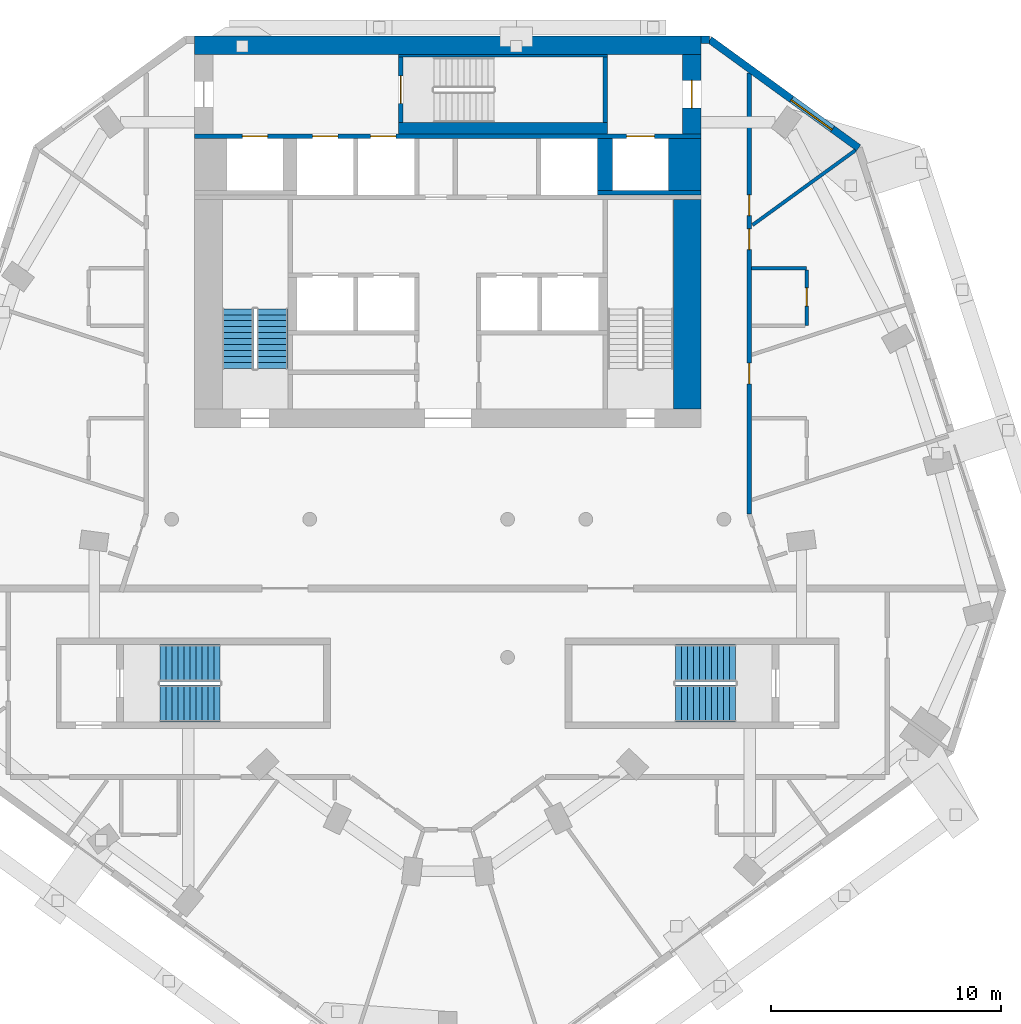
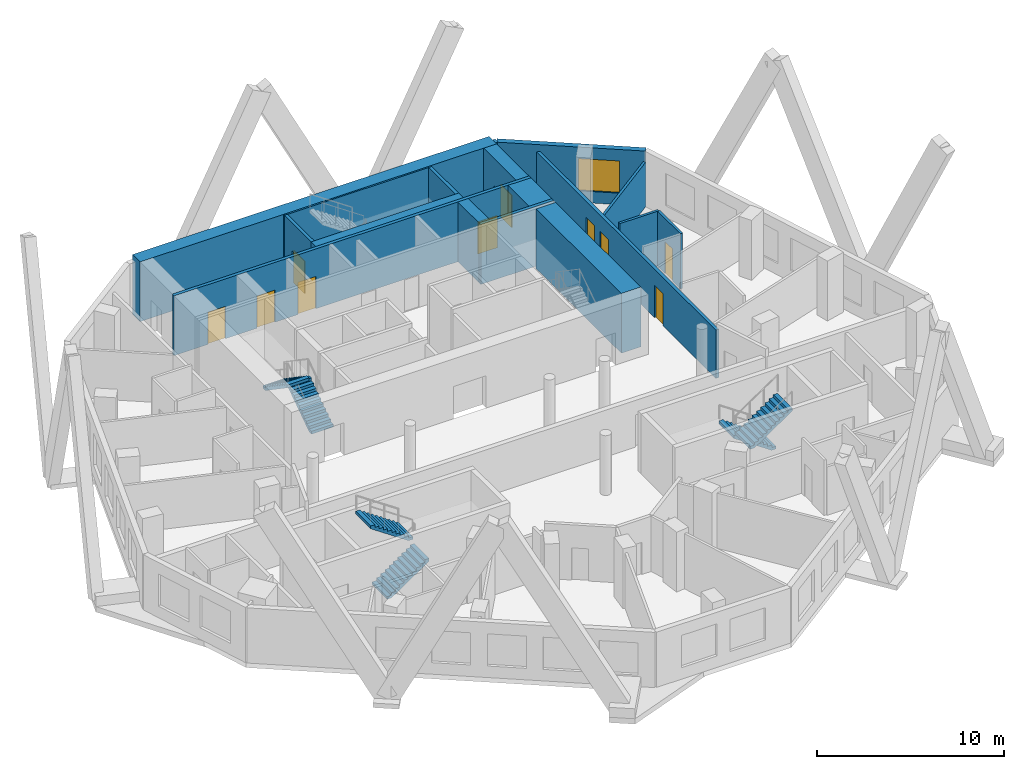
# One storey, part 7 of 10: 17 walls, 10 doors, 6 stair flights, 1 window, 11 openings, 3 elements without a shape of their own.
"""IFC4 building model written with IfcOpenShell, lengths in metres."""

from ifc_helpers import new_model, si_unit, direction, frame, frame_2d, origin, place, context, subcontext, project, spatial, polyline, rectangle, outline, extrude, material, layer, layer_set, type_object, element, fill, aggregate, save


model = new_model("IFC4")

# Units and contexts
model_context = context("Model", 3, precision=1e-05, world=origin(), true_north=direction((0.0, 1.0)))
body_context = subcontext(model_context, "Body", "Model", "MODEL_VIEW")
ifc_project = project(units=[si_unit("LENGTHUNIT", "METRE"), si_unit("AREAUNIT", "SQUARE_METRE"), si_unit("VOLUMEUNIT", "CUBIC_METRE"), si_unit("PLANEANGLEUNIT", "RADIAN"), si_unit("MASSUNIT", "GRAM", prefix="KILO")], contexts=[model_context])

# Site, building, storey
site_placement = place(None, origin())
site = spatial("IfcSite", under=ifc_project, at=site_placement, CompositionType="ELEMENT")
building_placement = place(site_placement, origin())
building = spatial("IfcBuilding", under=site, at=building_placement, Name="White Candle Pilgrim Tower", CompositionType="ELEMENT")
storey_placement = place(building_placement, frame((0.0, 0.0, 231.60009765625)))
storey = spatial("IfcBuildingStorey", under=building, at=storey_placement, Name="L54", CompositionType="ELEMENT", Elevation=231.60009765625)

# Walls
ifc_material_1 = material(Name="Concrete C50/60", Category="concrete")
ifc_layer_1 = layer(ifc_material_1, 1.39990234375)
ifc_layer_set_1 = layer_set([ifc_layer_1], Name="Core wall 1400 mm Concrete C50/60")
wall_type_1 = type_object("IfcWallType", Name="Core wall 1400 mm Concrete C50/60", PredefinedType="SHEAR", material=ifc_layer_set_1)
wall_1_placement = place(storey_placement, frame((80.300048828125, 81.300048828125, 0.0), z_axis=(0.0, 0.0, 1.0), x_axis=(0.0, 1.0, 0.0)))
element("IfcWall", 1, at=wall_1_placement, inside=storey, type_object=wall_type_1, Name="WL-L54-C43", PredefinedType="SHEAR", context=body_context, shape_type="SweptSolid", body=[
    extrude(rectangle(XDim=2.25, YDim=1.39990234375, at=frame_2d((1.125, 0.0))), origin(), (0.0, 0.0, 1.0), 3.89990234375),
])
ifc_layer_2 = layer(ifc_material_1, 0.199951171875)
ifc_layer_set_2 = layer_set([ifc_layer_2], Name="Core wall 200 mm Concrete C50/60")
wall_type_2 = type_object("IfcWallType", Name="Core wall 200 mm Concrete C50/60", PredefinedType="SHEAR", material=ifc_layer_set_2)
wall_2_placement = place(storey_placement, frame((76.5, 81.199951171875, 0.0), z_axis=(0.0, 0.0, 1.0), x_axis=(1.0, 0.0, 0.0)))
element("IfcWall", 2, at=wall_2_placement, inside=storey, type_object=wall_type_2, Name="WL-L54-C39", PredefinedType="SHEAR", context=body_context, shape_type="SweptSolid", body=[
    extrude(rectangle(XDim=4.5, YDim=0.199951171875, at=frame_2d((2.25, 0.0))), origin(), (0.0, 0.0, 1.0), 3.89990234375),
])

# Wall, openings, doors
wall_3_placement = place(storey_placement, frame((59.0, 83.64990234375, 0.0), z_axis=(0.0, 0.0, 1.0), x_axis=(1.0, 0.0, 0.0)))
wall_3 = element("IfcWall", 3, at=wall_3_placement, inside=storey, type_object=wall_type_2, Name="WL-L54-C44", PredefinedType="SHEAR", context=body_context, shape_type="SweptSolid", body=[
    extrude(rectangle(XDim=22.0, YDim=0.199951171875, at=frame_2d((11.0, 0.0))), origin(), (0.0, 0.0, 1.0), 3.89990234375),
])
opening_1_placement = place(wall_3_placement, frame((5.125, 0.0, 0.0)))
opening_1 = element("IfcOpeningElement", 4, at=opening_1_placement, cuts=wall_3, Name="Opening T17-018", PredefinedType="OPENING", context=body_context, shape_type="SweptSolid", body=[
    extrude(rectangle(XDim=1.10009765625, YDim=2.10009765625, at=frame_2d((0.550048828125, 1.050048828125))), frame((0.0, 0.10986328125, 0.0), z_axis=(0.0, -1.0, 0.0), x_axis=(1.0, 0.0, 0.0)), (0.0, 0.0, 1.0), 0.219970703125),
])
opening_2_placement = place(wall_3_placement, frame((7.64990234375, 0.0, 0.0)))
opening_2 = element("IfcOpeningElement", 5, at=opening_2_placement, cuts=wall_3, Name="Opening T17-019", PredefinedType="OPENING", context=body_context, shape_type="SweptSolid", body=[
    extrude(rectangle(XDim=1.10009765625, YDim=2.10009765625, at=frame_2d((0.550048828125, 1.050048828125))), frame((0.0, 0.10986328125, 0.0), z_axis=(0.0, -1.0, 0.0), x_axis=(1.0, 0.0, 0.0)), (0.0, 0.0, 1.0), 0.219970703125),
])
opening_3_placement = place(wall_3_placement, frame((18.77490234375, 0.0, 0.0)))
opening_3 = element("IfcOpeningElement", 6, at=opening_3_placement, cuts=wall_3, Name="Opening T17-020", PredefinedType="OPENING", context=body_context, shape_type="SweptSolid", body=[
    extrude(rectangle(XDim=1.199951171875, YDim=2.10009765625, at=frame_2d((0.60009765625, 1.050048828125))), frame((0.0, 0.10986328125, 0.0), z_axis=(0.0, -1.0, 0.0), x_axis=(1.0, 0.0, 0.0)), (0.0, 0.0, 1.0), 0.219970703125),
])
opening_4_placement = place(wall_3_placement, frame((2.074951171875, 0.0, 0.0)))
opening_4 = element("IfcOpeningElement", 7, at=opening_4_placement, cuts=wall_3, Name="Opening T17-021", PredefinedType="OPENING", context=body_context, shape_type="SweptSolid", body=[
    extrude(rectangle(XDim=1.10009765625, YDim=2.10009765625, at=frame_2d((0.550048828125, 1.050048828125))), frame((0.0, 0.10986328125, 0.0), z_axis=(0.0, -1.0, 0.0), x_axis=(1.0, 0.0, 0.0)), (0.0, 0.0, 1.0), 0.219970703125),
])
ifc_material_2 = material(Name="Stainless steel", Category="steel")
door_type_1 = type_object("IfcDoorType", Name="Lift landing door 1100 x 2100 EI 60", OperationType="DOUBLE_DOOR_SLIDING", PredefinedType="DOOR", material=ifc_material_2)
door_1_placement = place(opening_1_placement, origin())
door_1 = element("IfcDoor", 8, at=door_1_placement, inside=storey, type_object=door_type_1, Name="Door T17-018", OperationType="DOUBLE_DOOR_SLIDING", OverallHeight=2.10009765625, OverallWidth=1.10009765625, PredefinedType="DOOR", context=body_context, shape_type="SweptSolid", body=[
    extrude(rectangle(XDim=1.10009765625, YDim=2.10009765625, at=frame_2d((0.550048828125, 1.050048828125))), frame((0.0, 0.02490234375, 0.0), z_axis=(0.0, -1.0, 0.0), x_axis=(1.0, 0.0, 0.0)), (0.0, 0.0, 1.0), 0.050048828125),
])
fill(opening_1, door_1)
door_2_placement = place(opening_2_placement, origin())
door_2 = element("IfcDoor", 9, at=door_2_placement, inside=storey, type_object=door_type_1, Name="Door T17-019", OperationType="DOUBLE_DOOR_SLIDING", OverallHeight=2.10009765625, OverallWidth=1.10009765625, PredefinedType="DOOR", context=body_context, shape_type="SweptSolid", body=[
    extrude(rectangle(XDim=1.10009765625, YDim=2.10009765625, at=frame_2d((0.550048828125, 1.050048828125))), frame((0.0, 0.02490234375, 0.0), z_axis=(0.0, -1.0, 0.0), x_axis=(1.0, 0.0, 0.0)), (0.0, 0.0, 1.0), 0.050048828125),
])
fill(opening_2, door_2)
door_3_placement = place(opening_4_placement, origin())
door_3 = element("IfcDoor", 10, at=door_3_placement, inside=storey, type_object=door_type_1, Name="Door T17-021", OperationType="DOUBLE_DOOR_SLIDING", OverallHeight=2.10009765625, OverallWidth=1.10009765625, PredefinedType="DOOR", context=body_context, shape_type="SweptSolid", body=[
    extrude(rectangle(XDim=1.10009765625, YDim=2.10009765625, at=frame_2d((0.550048828125, 1.050048828125))), frame((0.0, 0.02490234375, 0.0), z_axis=(0.0, -1.0, 0.0), x_axis=(1.0, 0.0, 0.0)), (0.0, 0.0, 1.0), 0.050048828125),
])
fill(opening_4, door_3)
door_type_2 = type_object("IfcDoorType", Name="Lift landing door 1200 x 2100 E 60", OperationType="DOUBLE_DOOR_SLIDING", PredefinedType="DOOR", material=ifc_material_2)
door_4_placement = place(opening_3_placement, origin())
door_4 = element("IfcDoor", 11, at=door_4_placement, inside=storey, type_object=door_type_2, Name="Door T17-020", OperationType="DOUBLE_DOOR_SLIDING", OverallHeight=2.10009765625, OverallWidth=1.199951171875, PredefinedType="DOOR", context=body_context, shape_type="SweptSolid", body=[
    extrude(rectangle(XDim=1.199951171875, YDim=2.10009765625, at=frame_2d((0.60009765625, 1.050048828125))), frame((0.0, 0.02490234375, 0.0), z_axis=(0.0, -1.0, 0.0), x_axis=(1.0, 0.0, 0.0)), (0.0, 0.0, 1.0), 0.050048828125),
])
fill(opening_3, door_4)

# Wall, opening, door
ifc_layer_3 = layer(ifc_material_1, 0.800048828125)
ifc_layer_set_3 = layer_set([ifc_layer_3], Name="Core wall 800 mm Concrete C50/60")
wall_type_3 = type_object("IfcWallType", Name="Core wall 800 mm Concrete C50/60", PredefinedType="SHEAR", material=ifc_layer_set_3)
wall_4_placement = place(storey_placement, frame((80.60009765625, 83.75, 0.0), z_axis=(0.0, 0.0, 1.0), x_axis=(0.0, 1.0, 0.0)))
wall_4 = element("IfcWall", 12, at=wall_4_placement, inside=storey, type_object=wall_type_3, Name="WL-L54-C47", PredefinedType="SHEAR", context=body_context, shape_type="SweptSolid", body=[
    extrude(rectangle(XDim=3.449951171875, YDim=0.800048828125, at=frame_2d((1.72509765625, 0.0))), origin(), (0.0, 0.0, 1.0), 3.89990234375),
])
opening_5_placement = place(wall_4_placement, frame((1.125, 0.0, 0.0)))
opening_5 = element("IfcOpeningElement", 13, at=opening_5_placement, cuts=wall_4, Name="Opening T17-009", PredefinedType="OPENING", context=body_context, shape_type="SweptSolid", body=[
    extrude(rectangle(XDim=1.199951171875, YDim=2.10009765625, at=frame_2d((0.60009765625, 1.050048828125))), frame((0.0, 0.409912109375, 0.0), z_axis=(0.0, -1.0, 0.0), x_axis=(1.0, 0.0, 0.0)), (0.0, 0.0, 1.0), 0.820068359375),
])
ifc_material_3 = material(Name="Steel door leaf", Category="steel")
door_type_3 = type_object("IfcDoorType", Name="Fire door 1200 x 2100 EI 30", OperationType="NOTDEFINED", PredefinedType="DOOR", material=ifc_material_3)
door_5_placement = place(opening_5_placement, origin())
door_5 = element("IfcDoor", 14, at=door_5_placement, inside=storey, type_object=door_type_3, Name="Door T17-009", OperationType="SINGLE_SWING_LEFT", OverallHeight=2.10009765625, OverallWidth=1.199951171875, PredefinedType="DOOR", context=body_context, shape_type="SweptSolid", body=[
    extrude(rectangle(XDim=1.199951171875, YDim=2.10009765625, at=frame_2d((0.60009765625, 1.050048828125))), frame((0.0, 0.02490234375, 0.0), z_axis=(0.0, -1.0, 0.0), x_axis=(1.0, 0.0, 0.0)), (0.0, 0.0, 1.0), 0.050048828125),
])
fill(opening_5, door_5)

# Wall
wall_5_placement = place(storey_placement, frame((59.0, 87.60009765625, 0.0), z_axis=(0.0, 0.0, 1.0), x_axis=(1.0, 0.0, 0.0)))
element("IfcWall", 15, at=wall_5_placement, inside=storey, type_object=wall_type_3, Name="WL-L54-C51", PredefinedType="SHEAR", context=body_context, shape_type="SweptSolid", body=[
    extrude(rectangle(XDim=22.0, YDim=0.800048828125, at=frame_2d((11.0, 0.0))), origin(), (0.0, 0.0, 1.0), 3.89990234375),
])

# Wall, openings, doors
ifc_material_4 = material(Name="Gypsum board on steel studs", Category="steel")
ifc_layer_4 = layer(ifc_material_4, 0.199951171875)
ifc_layer_set_4 = layer_set([ifc_layer_4], Name="Corridor wall 200 mm EI 45")
wall_type_4 = type_object("IfcWallType", Name="Corridor wall 200 mm EI 45", PredefinedType="PARTITIONING", material=ifc_layer_set_4)
wall_6_placement = place(storey_placement, frame((83.10009765625, 86.396240234375, 0.0), z_axis=(0.0, 0.0, 1.0), x_axis=(0.0, -1.0, 0.0)))
wall_6 = element("IfcWall", 16, at=wall_6_placement, inside=storey, type_object=wall_type_4, Name="WL-L54-P004", PredefinedType="PARTITIONING", context=body_context, shape_type="SweptSolid", body=[
    extrude(rectangle(XDim=19.154296875, YDim=0.199951171875, at=frame_2d((9.5771484375, 0.0))), origin(), (0.0, 0.0, 1.0), 3.14990234375),
])
opening_6_placement = place(wall_6_placement, frame((5.29638671875, 0.0, 0.0)))
opening_6 = element("IfcOpeningElement", 17, at=opening_6_placement, cuts=wall_6, Name="Opening T17-123", PredefinedType="OPENING", context=body_context, shape_type="SweptSolid", body=[
    extrude(rectangle(XDim=0.89990234375, YDim=2.10009765625, at=frame_2d((0.449951171875, 1.050048828125))), frame((0.0, 0.10986328125, 0.0), z_axis=(0.0, -1.0, 0.0), x_axis=(1.0, 0.0, 0.0)), (0.0, 0.0, 1.0), 0.219970703125),
])
opening_7_placement = place(wall_6_placement, frame((6.770751953125, 0.0, 0.0)))
opening_7 = element("IfcOpeningElement", 18, at=opening_7_placement, cuts=wall_6, Name="Opening T17-124", PredefinedType="OPENING", context=body_context, shape_type="SweptSolid", body=[
    extrude(rectangle(XDim=0.89990234375, YDim=2.10009765625, at=frame_2d((0.449951171875, 1.050048828125))), frame((0.0, 0.10986328125, 0.0), z_axis=(0.0, -1.0, 0.0), x_axis=(1.0, 0.0, 0.0)), (0.0, 0.0, 1.0), 0.219970703125),
])
opening_8_placement = place(wall_6_placement, frame((12.607666015625, 0.0, 0.0)))
opening_8 = element("IfcOpeningElement", 19, at=opening_8_placement, cuts=wall_6, Name="Opening T17-125", PredefinedType="OPENING", context=body_context, shape_type="SweptSolid", body=[
    extrude(rectangle(XDim=0.89990234375, YDim=2.10009765625, at=frame_2d((0.449951171875, 1.050048828125))), frame((0.0, 0.10986328125, 0.0), z_axis=(0.0, -1.0, 0.0), x_axis=(1.0, 0.0, 0.0)), (0.0, 0.0, 1.0), 0.219970703125),
])
door_type_4 = type_object("IfcDoorType", Name="Fire door 900 x 2100 EI 30", OperationType="NOTDEFINED", PredefinedType="DOOR", material=ifc_material_3)
door_6_placement = place(opening_6_placement, origin())
door_6 = element("IfcDoor", 20, at=door_6_placement, inside=storey, type_object=door_type_4, Name="Door T17-123", OperationType="SINGLE_SWING_LEFT", OverallHeight=2.10009765625, OverallWidth=0.89990234375, PredefinedType="DOOR", context=body_context, shape_type="SweptSolid", body=[
    extrude(rectangle(XDim=0.89990234375, YDim=2.10009765625, at=frame_2d((0.449951171875, 1.050048828125))), frame((0.0, 0.02490234375, 0.0), z_axis=(0.0, -1.0, 0.0), x_axis=(1.0, 0.0, 0.0)), (0.0, 0.0, 1.0), 0.050048828125),
])
fill(opening_6, door_6)
door_7_placement = place(opening_7_placement, origin())
door_7 = element("IfcDoor", 21, at=door_7_placement, inside=storey, type_object=door_type_4, Name="Door T17-124", OperationType="SINGLE_SWING_RIGHT", OverallHeight=2.10009765625, OverallWidth=0.89990234375, PredefinedType="DOOR", context=body_context, shape_type="SweptSolid", body=[
    extrude(rectangle(XDim=0.89990234375, YDim=2.10009765625, at=frame_2d((0.449951171875, 1.050048828125))), frame((0.0, 0.02490234375, 0.0), z_axis=(0.0, -1.0, 0.0), x_axis=(1.0, 0.0, 0.0)), (0.0, 0.0, 1.0), 0.050048828125),
])
fill(opening_7, door_7)
door_8_placement = place(opening_8_placement, origin())
door_8 = element("IfcDoor", 22, at=door_8_placement, inside=storey, type_object=door_type_4, Name="Door T17-125", OperationType="SINGLE_SWING_LEFT", OverallHeight=2.10009765625, OverallWidth=0.89990234375, PredefinedType="DOOR", context=body_context, shape_type="SweptSolid", body=[
    extrude(rectangle(XDim=0.89990234375, YDim=2.10009765625, at=frame_2d((0.449951171875, 1.050048828125))), frame((0.0, 0.02490234375, 0.0), z_axis=(0.0, -1.0, 0.0), x_axis=(1.0, 0.0, 0.0)), (0.0, 0.0, 1.0), 0.050048828125),
])
fill(opening_8, door_8)

# Wall, opening, window
ifc_material_5 = material(Name="Precast concrete C40/50", Category="concrete")
ifc_layer_5 = layer(ifc_material_5, 0.320068359375)
ifc_layer_set_5 = layer_set([ifc_layer_5], Name="Facade wall EW1 precast concrete C40/50 pier wall with timber-lined reveals")
wall_type_5 = type_object("IfcWallType", Name="Facade wall EW1 precast concrete C40/50 pier wall with timber-lined reveals", PredefinedType="SOLIDWALL", material=ifc_layer_set_5)
wall_7_placement = place(storey_placement, frame((87.85546875, 83.138916015625, 0.0), z_axis=(0.0, 0.0, 1.0), x_axis=(-0.809010558388, 0.587794110566, 0.0)))
wall_7 = element("IfcWall", 23, at=wall_7_placement, inside=storey, type_object=wall_type_5, Name="Facade wall L54 NE chamfer", PredefinedType="SOLIDWALL", context=body_context, shape_type="SweptSolid", body=[
    extrude(rectangle(XDim=7.998046875, YDim=0.320068359375, at=frame_2d((3.9990234375, 0.0))), origin(), (0.0, 0.0, 1.0), 3.599853515625),
])
opening_9_placement = place(wall_7_placement, frame((1.39892578125, 0.0, 0.75)))
opening_9 = element("IfcOpeningElement", 24, at=opening_9_placement, cuts=wall_7, Name="Opening W4", PredefinedType="OPENING", context=body_context, shape_type="SweptSolid", body=[
    extrude(rectangle(XDim=2.199951171875, YDim=2.10009765625, at=frame_2d((1.10009765625, 1.050048828125))), frame((0.0, 0.169921875, 0.0), z_axis=(0.0, -1.0, 0.0), x_axis=(1.0, 0.0, 0.0)), (0.0, 0.0, 1.0), 0.340087890625),
])
ifc_material_6 = material(Name="Timber frame with triple glazing", Category="wood")
window_type = type_object("IfcWindowType", Name="Window W4 2200x2100 timber frame triple glazing", PartitioningType="SINGLE_PANEL", PredefinedType="WINDOW", material=ifc_material_6)
window_placement = place(opening_9_placement, origin())
window = element("IfcWindow", 25, at=window_placement, inside=storey, type_object=window_type, Name="Window W4 L54 NE chamfer 1", OverallHeight=2.10009765625, OverallWidth=2.199951171875, PartitioningType="SINGLE_PANEL", PredefinedType="WINDOW", context=body_context, shape_type="SweptSolid", body=[
    extrude(rectangle(XDim=2.199951171875, YDim=2.10009765625, at=frame_2d((1.10009765625, 1.050048828125))), frame((0.0, 0.070068359375, 0.0), z_axis=(0.0, -1.0, 0.0), x_axis=(1.0, 0.0, 0.0)), (0.0, 0.0, 1.0), 0.06005859375),
])
fill(opening_9, window)

# Walls
wall_8_placement = place(storey_placement, frame((81.385009765625, 87.840087890625, 0.0), z_axis=(0.0, 0.0, 1.0), x_axis=(-1.0, 0.0, 0.0)))
element("IfcWall", 26, at=wall_8_placement, inside=storey, type_object=wall_type_5, Name="Facade wall L54 N", PredefinedType="SOLIDWALL", context=body_context, shape_type="SweptSolid", body=[
    extrude(rectangle(XDim=0.385009765625, YDim=0.320068359375, at=frame_2d((0.1923828125, 0.0))), origin(), (0.0, 0.0, 1.0), 3.599853515625),
])
ifc_layer_6 = layer(ifc_material_4, 0.14990234375)
ifc_layer_set_6 = layer_set([ifc_layer_6], Name="Partition 150 mm EI 60")
wall_type_6 = type_object("IfcWallType", Name="Partition 150 mm EI 60", PredefinedType="PARTITIONING", material=ifc_layer_set_6)
wall_9_placement = place(storey_placement, frame((87.71923828125, 83.0400390625, 0.0), z_axis=(0.0, 0.0, 1.0), x_axis=(-0.809028003405, -0.587770099364, 0.0)))
element("IfcWall", 27, at=wall_9_placement, inside=storey, type_object=wall_type_6, Name="WL-L54-P018", PredefinedType="PARTITIONING", context=body_context, shape_type="SweptSolid", body=[
    extrude(rectangle(XDim=5.531494140625, YDim=0.14990234375, at=frame_2d((2.765625, 0.0))), origin(), (0.0, 0.0, 1.0), 2.89990234375),
])
wall_10_placement = place(storey_placement, frame((83.199951171875, 77.913330078125, 0.0), z_axis=(0.0, 0.0, 1.0), x_axis=(1.0, 0.0, 0.0)))
element("IfcWall", 28, at=wall_10_placement, inside=storey, type_object=wall_type_6, Name="WL-L54-P042", PredefinedType="PARTITIONING", context=body_context, shape_type="SweptSolid", body=[
    extrude(rectangle(XDim=2.400146484375, YDim=0.14990234375, at=frame_2d((1.2001953125, 0.0))), origin(), (0.0, 0.0, 1.0), 3.599853515625),
])

# Wall, opening, door
wall_11_placement = place(storey_placement, frame((85.60009765625, 75.413330078125, 0.0), z_axis=(0.0, 0.0, 1.0), x_axis=(0.0, 1.0, 0.0)))
wall_11 = element("IfcWall", 29, at=wall_11_placement, inside=storey, type_object=wall_type_6, Name="WL-L54-P043", PredefinedType="PARTITIONING", context=body_context, shape_type="SweptSolid", body=[
    extrude(rectangle(XDim=2.425048828125, YDim=0.14990234375, at=frame_2d((1.21240234375, 0.0))), origin(), (0.0, 0.0, 1.0), 3.599853515625),
])
opening_10_placement = place(wall_11_placement, frame((0.85009765625, 0.0, 0.0)))
opening_10 = element("IfcOpeningElement", 30, at=opening_10_placement, cuts=wall_11, Name="Opening T17-116", PredefinedType="OPENING", context=body_context, shape_type="SweptSolid", body=[
    extrude(rectangle(XDim=0.800048828125, YDim=2.10009765625, at=frame_2d((0.39990234375, 1.050048828125))), frame((0.0, 0.0849609375, 0.0), z_axis=(0.0, -1.0, 0.0), x_axis=(1.0, 0.0, 0.0)), (0.0, 0.0, 1.0), 0.169921875),
])
door_type_5 = type_object("IfcDoorType", Name="Fire door 800 x 2100 EI 30", OperationType="NOTDEFINED", PredefinedType="DOOR", material=ifc_material_3)
door_9_placement = place(opening_10_placement, frame((0.800048828125, 0.0, 0.0), z_axis=(0.0, 0.0, 1.0), x_axis=(-1.0, 0.0, 0.0)))
door_9 = element("IfcDoor", 31, at=door_9_placement, inside=storey, type_object=door_type_5, Name="Door T17-116", OperationType="SINGLE_SWING_LEFT", OverallHeight=2.10009765625, OverallWidth=0.800048828125, PredefinedType="DOOR", context=body_context, shape_type="SweptSolid", body=[
    extrude(rectangle(XDim=0.800048828125, YDim=2.10009765625, at=frame_2d((0.39990234375, 1.050048828125))), frame((0.0, 0.02490234375, 0.0), z_axis=(0.0, -1.0, 0.0), x_axis=(1.0, 0.0, 0.0)), (0.0, 0.0, 1.0), 0.050048828125),
])
fill(opening_10, door_9)

# Walls
ifc_layer_7 = layer(ifc_material_1, 0.64990234375)
ifc_layer_set_7 = layer_set([ifc_layer_7], Name="Shaft wall 650 mm Concrete C50/60")
wall_type_7 = type_object("IfcWallType", Name="Shaft wall 650 mm Concrete C50/60", PredefinedType="SHEAR", material=ifc_layer_set_7)
wall_12_placement = place(storey_placement, frame((76.824951171875, 81.300048828125, 0.0), z_axis=(0.0, 0.0, 1.0), x_axis=(0.0, 1.0, 0.0)))
element("IfcWall", 32, at=wall_12_placement, inside=storey, type_object=wall_type_7, Name="WL-L54-C42", PredefinedType="SHEAR", context=body_context, shape_type="SweptSolid", body=[
    extrude(rectangle(XDim=2.25, YDim=0.64990234375, at=frame_2d((1.125, 0.0))), origin(), (0.0, 0.0, 1.0), 3.89990234375),
])
ifc_layer_8 = layer(ifc_material_1, 0.10009765625)
ifc_layer_set_8 = layer_set([ifc_layer_8], Name="Stair shaft wall 100 mm Concrete C50/60")
wall_type_8 = type_object("IfcWallType", Name="Stair shaft wall 100 mm Concrete C50/60", PredefinedType="SHEAR", material=ifc_layer_set_8)
wall_13_placement = place(storey_placement, frame((67.85009765625, 87.14990234375, 0.0), z_axis=(0.0, 0.0, 1.0), x_axis=(1.0, 0.0, 0.0)))
element("IfcWall", 33, at=wall_13_placement, inside=storey, type_object=wall_type_8, Name="WL-L54-C50", PredefinedType="SHEAR", context=body_context, shape_type="SweptSolid", body=[
    extrude(rectangle(XDim=9.099853515625, YDim=0.10009765625, at=frame_2d((4.5498046875, 0.0))), origin(), (0.0, 0.0, 1.0), 3.89990234375),
])
ifc_layer_9 = layer(ifc_material_1, 1.199951171875)
ifc_layer_set_9 = layer_set([ifc_layer_9], Name="Stair shaft wall 1200 mm Concrete C50/60")
wall_type_9 = type_object("IfcWallType", Name="Stair shaft wall 1200 mm Concrete C50/60", PredefinedType="SHEAR", material=ifc_layer_set_9)
wall_14_placement = place(storey_placement, frame((80.39990234375, 71.800048828125, 0.0), z_axis=(0.0, 0.0, 1.0), x_axis=(0.0, 1.0, 0.0)))
element("IfcWall", 34, at=wall_14_placement, inside=storey, type_object=wall_type_9, Name="WL-L54-C17", PredefinedType="SHEAR", context=body_context, shape_type="SweptSolid", body=[
    extrude(rectangle(XDim=9.099853515625, YDim=1.199951171875, at=frame_2d((4.5498046875, 0.0))), origin(), (0.0, 0.0, 1.0), 3.89990234375),
])

# Wall, opening, door
ifc_layer_10 = layer(ifc_material_1, 0.199951171875)
ifc_layer_set_10 = layer_set([ifc_layer_10], Name="Stair shaft wall 200 mm Concrete C50/60")
wall_type_10 = type_object("IfcWallType", Name="Stair shaft wall 200 mm Concrete C50/60", PredefinedType="SHEAR", material=ifc_layer_set_10)
wall_15_placement = place(storey_placement, frame((67.949951171875, 84.25, 0.0), z_axis=(0.0, 0.0, 1.0), x_axis=(0.0, 1.0, 0.0)))
wall_15 = element("IfcWall", 35, at=wall_15_placement, inside=storey, type_object=wall_type_10, Name="WL-L54-C48", PredefinedType="SHEAR", context=body_context, shape_type="SweptSolid", body=[
    extrude(rectangle(XDim=2.85009765625, YDim=0.199951171875, at=frame_2d((1.425048828125, 0.0))), origin(), (0.0, 0.0, 1.0), 3.89990234375),
])
opening_11_placement = place(wall_15_placement, frame((0.824951171875, 0.0, 0.0)))
opening_11 = element("IfcOpeningElement", 36, at=opening_11_placement, cuts=wall_15, Name="Opening T17-003", PredefinedType="OPENING", context=body_context, shape_type="SweptSolid", body=[
    extrude(rectangle(XDim=1.199951171875, YDim=2.10009765625, at=frame_2d((0.60009765625, 1.050048828125))), frame((0.0, 0.10986328125, 0.0), z_axis=(0.0, -1.0, 0.0), x_axis=(1.0, 0.0, 0.0)), (0.0, 0.0, 1.0), 0.219970703125),
])
door_type_6 = type_object("IfcDoorType", Name="Fire door 1200 x 2100 EI 60", OperationType="NOTDEFINED", PredefinedType="DOOR", material=ifc_material_3)
door_10_placement = place(opening_11_placement, frame((1.199951171875, 0.0, 0.0), z_axis=(0.0, 0.0, 1.0), x_axis=(-1.0, 0.0, 0.0)))
door_10 = element("IfcDoor", 37, at=door_10_placement, inside=storey, type_object=door_type_6, Name="Door T17-003", OperationType="SINGLE_SWING_RIGHT", OverallHeight=2.10009765625, OverallWidth=1.199951171875, PredefinedType="DOOR", context=body_context, shape_type="SweptSolid", body=[
    extrude(rectangle(XDim=1.199951171875, YDim=2.10009765625, at=frame_2d((0.60009765625, 1.050048828125))), frame((0.0, 0.02490234375, 0.0), z_axis=(0.0, -1.0, 0.0), x_axis=(1.0, 0.0, 0.0)), (0.0, 0.0, 1.0), 0.050048828125),
])
fill(opening_11, door_10)

# Walls
wall_16_placement = place(storey_placement, frame((76.85009765625, 84.25, 0.0), z_axis=(0.0, 0.0, 1.0), x_axis=(0.0, 1.0, 0.0)))
element("IfcWall", 38, at=wall_16_placement, inside=storey, type_object=wall_type_10, Name="WL-L54-C49", PredefinedType="SHEAR", context=body_context, shape_type="SweptSolid", body=[
    extrude(rectangle(XDim=2.85009765625, YDim=0.199951171875, at=frame_2d((1.425048828125, 0.0))), origin(), (0.0, 0.0, 1.0), 3.89990234375),
])
ifc_layer_11 = layer(ifc_material_1, 0.5)
ifc_layer_set_11 = layer_set([ifc_layer_11], Name="Stair shaft wall 500 mm Concrete C50/60")
wall_type_11 = type_object("IfcWallType", Name="Stair shaft wall 500 mm Concrete C50/60", PredefinedType="SHEAR", material=ifc_layer_set_11)
wall_17_placement = place(storey_placement, frame((67.85009765625, 84.0, 0.0), z_axis=(0.0, 0.0, 1.0), x_axis=(1.0, 0.0, 0.0)))
element("IfcWall", 39, at=wall_17_placement, inside=storey, type_object=wall_type_11, Name="WL-L54-C46", PredefinedType="SHEAR", context=body_context, shape_type="SweptSolid", body=[
    extrude(rectangle(XDim=9.099853515625, YDim=0.5, at=frame_2d((4.5498046875, 0.0))), origin(), (0.0, 0.0, 1.0), 3.89990234375),
])

# Stair, stair flights
ifc_material_7 = material(Name="Concrete C40/50", Category="concrete")
stair_type_1 = type_object("IfcStairType", Name="Exit stair 1 flight width 1350 mm", PredefinedType="HALF_TURN_STAIR", material=ifc_material_7)
stair_1_placement = place(storey_placement, origin())
stair_1 = element("IfcStair", 40, at=stair_1_placement, inside=storey, type_object=stair_type_1, Name="L54 stair 1", PredefinedType="NOTDEFINED")
ifc_layer_12 = layer(ifc_material_7, 0.14990234375)
ifc_layer_set_12 = layer_set([ifc_layer_12], Name="Stair flight Concrete C40/50")
stair_flight_type = type_object("IfcStairFlightType", Name="Stair flight Concrete C40/50", PredefinedType="STRAIGHT", material=ifc_layer_set_12)
stair_flight_1_placement = place(storey_placement, frame((62.375, 73.550048828125, 0.0), z_axis=(0.0, 0.0, 1.0), x_axis=(0.0, 1.0, 0.0)))
stair_flight_1 = element("IfcStairFlight", 41, at=stair_flight_1_placement, type_object=stair_flight_type, Name="ST1 flight 1", NumberOfRisers=11, NumberOfTreads=10, PredefinedType="NOTDEFINED", RiserHeight=0.177272727, TreadLength=0.26, context=body_context, shape_type="SweptSolid", body=[
    extrude(outline(polyline([(0.0, 0.0), (0.0, 0.17724609375), (0.260009765625, 0.17724609375), (0.260009765625, 0.3544921875), (0.52001953125, 0.3544921875), (0.52001953125, 0.53173828125), (0.780029296875, 0.53173828125), (0.780029296875, 0.708984375), (1.0400390625, 0.708984375), (1.0400390625, 0.886474609375), (1.300048828125, 0.886474609375), (1.300048828125, 1.063720703125), (1.56005859375, 1.063720703125), (1.56005859375, 1.240966796875), (1.820068359375, 1.240966796875), (1.820068359375, 1.418212890625), (2.080078125, 1.418212890625), (2.080078125, 1.595458984375), (2.340087890625, 1.595458984375), (2.340087890625, 1.772705078125), (2.60009765625, 1.772705078125), (2.60009765625, 1.949951171875), (2.60009765625, 1.59130859375), (0.26611328125, 0.0), (0.0, 0.0)])), frame((0.0, 0.675048828125, 0.0), z_axis=(0.0, -1.0, 0.0), x_axis=(1.0, 0.0, 0.0)), (0.0, 0.0, 1.0), 1.35009765625),
])
stair_flight_2_placement = place(storey_placement, frame((60.875, 76.14990234375, 1.949951171875), z_axis=(0.0, 0.0, 1.0), x_axis=(0.0, -1.0, 0.0)))
stair_flight_2 = element("IfcStairFlight", 42, at=stair_flight_2_placement, type_object=stair_flight_type, Name="ST1 flight 2", NumberOfRisers=11, NumberOfTreads=10, PredefinedType="NOTDEFINED", RiserHeight=0.177272727, TreadLength=0.26, context=body_context, shape_type="SweptSolid", body=[
    extrude(outline(polyline([(0.0, 0.0), (0.0, 0.17724609375), (0.260009765625, 0.17724609375), (0.260009765625, 0.3544921875), (0.52001953125, 0.3544921875), (0.52001953125, 0.53173828125), (0.780029296875, 0.53173828125), (0.780029296875, 0.708984375), (1.0400390625, 0.708984375), (1.0400390625, 0.886474609375), (1.300048828125, 0.886474609375), (1.300048828125, 1.063720703125), (1.56005859375, 1.063720703125), (1.56005859375, 1.240966796875), (1.820068359375, 1.240966796875), (1.820068359375, 1.418212890625), (2.080078125, 1.418212890625), (2.080078125, 1.595458984375), (2.340087890625, 1.595458984375), (2.340087890625, 1.772705078125), (2.60009765625, 1.772705078125), (2.60009765625, 1.949951171875), (2.60009765625, 1.59130859375), (0.26611328125, 0.0), (0.0, 0.0)])), frame((0.0, 0.675048828125, 0.0), z_axis=(0.0, -1.0, 0.0), x_axis=(1.0, 0.0, 0.0)), (0.0, 0.0, 1.0), 1.35009765625),
])
aggregate(stair_1, [stair_flight_1, stair_flight_2])

stair_type_2 = type_object("IfcStairType", Name="Exit stair 4 flight width 1600 mm", PredefinedType="HALF_TURN_STAIR", material=ifc_material_7)
stair_2_placement = place(storey_placement, origin())
stair_2 = element("IfcStair", 43, at=stair_2_placement, inside=storey, type_object=stair_type_2, Name="L54 stair 4", PredefinedType="NOTDEFINED")
stair_flight_3_placement = place(storey_placement, frame((82.5, 60.75, 0.0), z_axis=(0.0, 0.0, 1.0), x_axis=(-1.0, 0.0, 0.0)))
stair_flight_3 = element("IfcStairFlight", 44, at=stair_flight_3_placement, type_object=stair_flight_type, Name="ST4 flight 1", NumberOfRisers=11, NumberOfTreads=10, PredefinedType="NOTDEFINED", RiserHeight=0.177272727, TreadLength=0.26, context=body_context, shape_type="SweptSolid", body=[
    extrude(outline(polyline([(0.0, 0.0), (0.0, 0.17724609375), (0.260009765625, 0.17724609375), (0.260009765625, 0.3544921875), (0.52001953125, 0.3544921875), (0.52001953125, 0.53173828125), (0.780029296875, 0.53173828125), (0.780029296875, 0.708984375), (1.0400390625, 0.708984375), (1.0400390625, 0.886474609375), (1.300048828125, 0.886474609375), (1.300048828125, 1.063720703125), (1.56005859375, 1.063720703125), (1.56005859375, 1.240966796875), (1.820068359375, 1.240966796875), (1.820068359375, 1.418212890625), (2.080078125, 1.418212890625), (2.080078125, 1.595458984375), (2.340087890625, 1.595458984375), (2.340087890625, 1.772705078125), (2.60009765625, 1.772705078125), (2.60009765625, 1.949951171875), (2.60009765625, 1.59130859375), (0.26611328125, 0.0), (0.0, 0.0)])), frame((0.0, 0.800048828125, 0.0), z_axis=(0.0, -1.0, 0.0), x_axis=(1.0, 0.0, 0.0)), (0.0, 0.0, 1.0), 1.60009765625),
])
stair_flight_4_placement = place(storey_placement, frame((79.89990234375, 59.0, 1.949951171875), z_axis=(0.0, 0.0, 1.0), x_axis=(1.0, 0.0, 0.0)))
stair_flight_4 = element("IfcStairFlight", 45, at=stair_flight_4_placement, type_object=stair_flight_type, Name="ST4 flight 2", NumberOfRisers=11, NumberOfTreads=10, PredefinedType="NOTDEFINED", RiserHeight=0.177272727, TreadLength=0.26, context=body_context, shape_type="SweptSolid", body=[
    extrude(outline(polyline([(0.0, 0.0), (0.0, 0.17724609375), (0.260009765625, 0.17724609375), (0.260009765625, 0.3544921875), (0.52001953125, 0.3544921875), (0.52001953125, 0.53173828125), (0.780029296875, 0.53173828125), (0.780029296875, 0.708984375), (1.0400390625, 0.708984375), (1.0400390625, 0.886474609375), (1.300048828125, 0.886474609375), (1.300048828125, 1.063720703125), (1.56005859375, 1.063720703125), (1.56005859375, 1.240966796875), (1.820068359375, 1.240966796875), (1.820068359375, 1.418212890625), (2.080078125, 1.418212890625), (2.080078125, 1.595458984375), (2.340087890625, 1.595458984375), (2.340087890625, 1.772705078125), (2.60009765625, 1.772705078125), (2.60009765625, 1.949951171875), (2.60009765625, 1.59130859375), (0.26611328125, 0.0), (0.0, 0.0)])), frame((0.0, 0.800048828125, 0.0), z_axis=(0.0, -1.0, 0.0), x_axis=(1.0, 0.0, 0.0)), (0.0, 0.0, 1.0), 1.60009765625),
])
aggregate(stair_2, [stair_flight_3, stair_flight_4])

stair_type_3 = type_object("IfcStairType", Name="Exit stair 5 flight width 1600 mm", PredefinedType="HALF_TURN_STAIR", material=ifc_material_7)
stair_3_placement = place(storey_placement, origin())
stair_3 = element("IfcStair", 46, at=stair_3_placement, inside=storey, type_object=stair_type_3, Name="L54 stair 5", PredefinedType="NOTDEFINED")
stair_flight_5_placement = place(storey_placement, frame((57.5, 59.0, 0.0), z_axis=(0.0, 0.0, 1.0), x_axis=(1.0, 0.0, 0.0)))
stair_flight_5 = element("IfcStairFlight", 47, at=stair_flight_5_placement, type_object=stair_flight_type, Name="ST5 flight 1", NumberOfRisers=11, NumberOfTreads=10, PredefinedType="NOTDEFINED", RiserHeight=0.177272727, TreadLength=0.26, context=body_context, shape_type="SweptSolid", body=[
    extrude(outline(polyline([(0.0, 0.0), (0.0, 0.17724609375), (0.260009765625, 0.17724609375), (0.260009765625, 0.3544921875), (0.52001953125, 0.3544921875), (0.52001953125, 0.53173828125), (0.780029296875, 0.53173828125), (0.780029296875, 0.708984375), (1.0400390625, 0.708984375), (1.0400390625, 0.886474609375), (1.300048828125, 0.886474609375), (1.300048828125, 1.063720703125), (1.56005859375, 1.063720703125), (1.56005859375, 1.240966796875), (1.820068359375, 1.240966796875), (1.820068359375, 1.418212890625), (2.080078125, 1.418212890625), (2.080078125, 1.595458984375), (2.340087890625, 1.595458984375), (2.340087890625, 1.772705078125), (2.60009765625, 1.772705078125), (2.60009765625, 1.949951171875), (2.60009765625, 1.59130859375), (0.26611328125, 0.0), (0.0, 0.0)])), frame((0.0, 0.800048828125, 0.0), z_axis=(0.0, -1.0, 0.0), x_axis=(1.0, 0.0, 0.0)), (0.0, 0.0, 1.0), 1.60009765625),
])
stair_flight_6_placement = place(storey_placement, frame((60.10009765625, 60.75, 1.949951171875), z_axis=(0.0, 0.0, 1.0), x_axis=(-1.0, 0.0, 0.0)))
stair_flight_6 = element("IfcStairFlight", 48, at=stair_flight_6_placement, type_object=stair_flight_type, Name="ST5 flight 2", NumberOfRisers=11, NumberOfTreads=10, PredefinedType="NOTDEFINED", RiserHeight=0.177272727, TreadLength=0.26, context=body_context, shape_type="SweptSolid", body=[
    extrude(outline(polyline([(0.0, 0.0), (0.0, 0.17724609375), (0.260009765625, 0.17724609375), (0.260009765625, 0.3544921875), (0.52001953125, 0.3544921875), (0.52001953125, 0.53173828125), (0.780029296875, 0.53173828125), (0.780029296875, 0.708984375), (1.0400390625, 0.708984375), (1.0400390625, 0.886474609375), (1.300048828125, 0.886474609375), (1.300048828125, 1.063720703125), (1.56005859375, 1.063720703125), (1.56005859375, 1.240966796875), (1.820068359375, 1.240966796875), (1.820068359375, 1.418212890625), (2.080078125, 1.418212890625), (2.080078125, 1.595458984375), (2.340087890625, 1.595458984375), (2.340087890625, 1.772705078125), (2.60009765625, 1.772705078125), (2.60009765625, 1.949951171875), (2.60009765625, 1.59130859375), (0.26611328125, 0.0), (0.0, 0.0)])), frame((0.0, 0.800048828125, 0.0), z_axis=(0.0, -1.0, 0.0), x_axis=(1.0, 0.0, 0.0)), (0.0, 0.0, 1.0), 1.60009765625),
])
aggregate(stair_3, [stair_flight_5, stair_flight_6])

save(model, "model.ifc")
